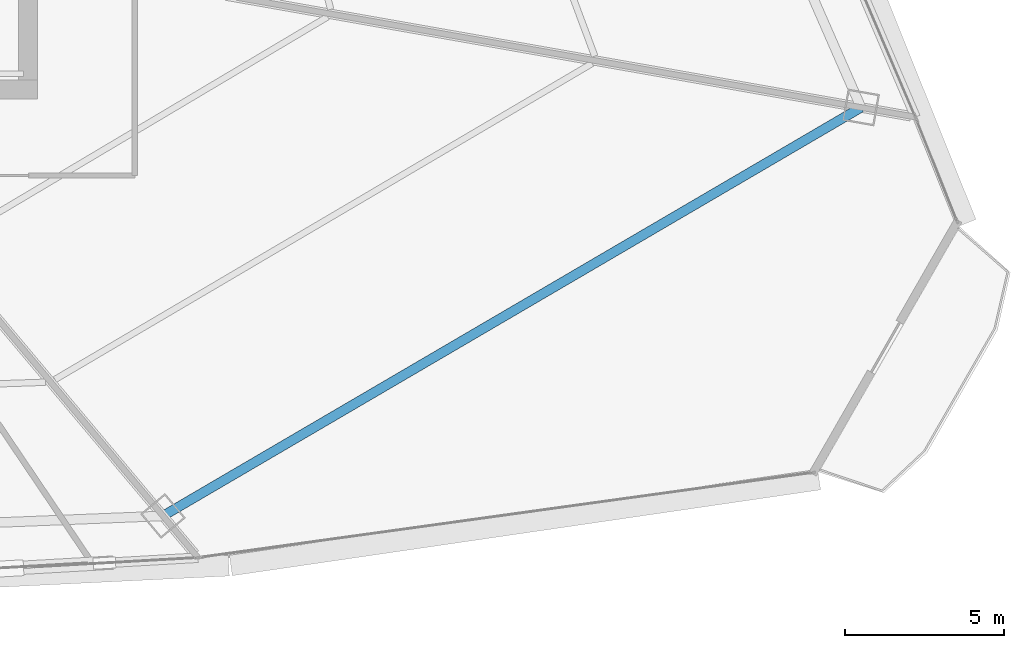
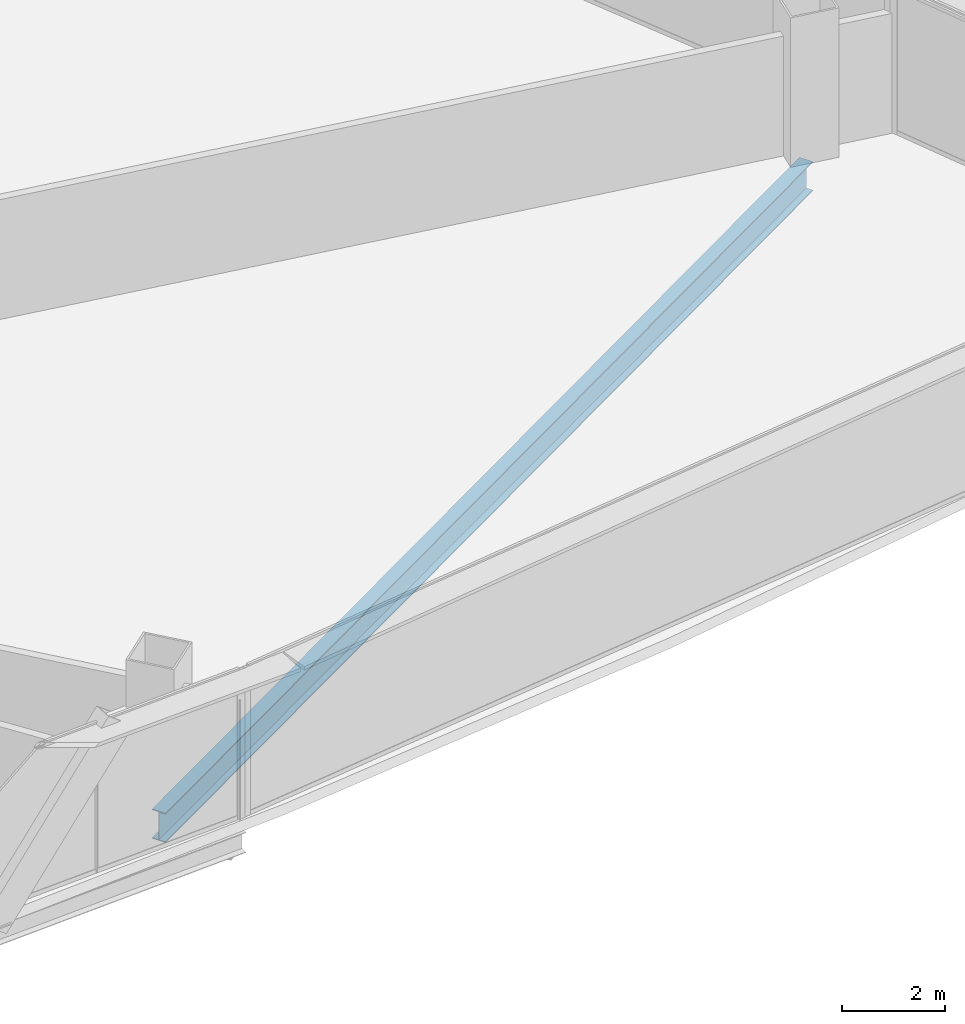
# One storey, part 21 of 36: 1 beam.
"""IFC4 building model written with IfcOpenShell, lengths in metres."""

from ifc_helpers import new_model, si_unit, direction, frame, origin, origin_2d, place, context, subcontext, project, spatial, i_section, extrude, source, transform, mapped, material, material_profile, profile_set, type_object, element, save


model = new_model("IFC4")

# Units and contexts
model_context = context("Model", 3, precision=1e-05, world=origin(), true_north=direction((0.0, 1.0)))
body_context = subcontext(model_context, "Body", "Model", "MODEL_VIEW")
ifc_project = project(units=[si_unit("LENGTHUNIT", "METRE"), si_unit("AREAUNIT", "SQUARE_METRE"), si_unit("VOLUMEUNIT", "CUBIC_METRE"), si_unit("PLANEANGLEUNIT", "RADIAN"), si_unit("MASSUNIT", "GRAM", prefix="KILO"), si_unit("THERMODYNAMICTEMPERATUREUNIT", "KELVIN"), si_unit("POWERUNIT", "WATT")], contexts=[model_context])

# Site, building, storey
site_placement = place(None, origin())
site = spatial("IfcSite", under=ifc_project, at=site_placement, CompositionType="ELEMENT")
building_placement = place(site_placement, origin())
building = spatial("IfcBuilding", under=site, at=building_placement, Name="Yunzhuo Pagoda Commons", CompositionType="ELEMENT")
storey_placement = place(building_placement, frame((0.0, 0.0, 103.97998046875)))
storey = spatial("IfcBuildingStorey", under=building, at=storey_placement, Name="L26", CompositionType="ELEMENT", Elevation=103.97998046875)

# Beam
ifc_material = material(Name="Structural steel Q355B", Category="steel")
ifc_material_profile = material_profile(ifc_material, i_section(OverallWidth=0.300048828125, OverallDepth=0.699951171875, WebThickness=0.012939453125, FlangeThickness=0.02392578125, at=origin_2d()), Name="Structural steel Q355B")
ifc_profile_set = profile_set([ifc_material_profile], Name="Structural steel Q355B")
beam_type = type_object("IfcBeamType", Name="B-RG1 Beam HN 700x300x13x24", PredefinedType="BEAM", material=ifc_profile_set)
shared_shape = source(origin(), body_context, "Body", "SweptSolid", [
    extrude(i_section(OverallWidth=0.300048828125, OverallDepth=0.699951171875, WebThickness=0.012939453125, FlangeThickness=0.02392578125, at=origin_2d()), origin(), (0.0, 0.0, 1.0), 25.3935546875),
])
beam_placement = place(storey_placement, frame((64.43603515625, 14.1123046875, -0.60986328125), z_axis=(0.863085207128, 0.505058338449, 0.0), x_axis=(-0.505058338449, 0.863085207128, 0.0)))
element("IfcBeam", 1, at=beam_placement, inside=storey, type_object=beam_type, Name="L26 column-ring beam 4", PredefinedType="BEAM", context=body_context, shape_type="MappedRepresentation", body=[
    mapped(shared_shape, transform((0.0, 0.0, 0.0), scale=1.0)),
])

save(model, "model.ifc")
